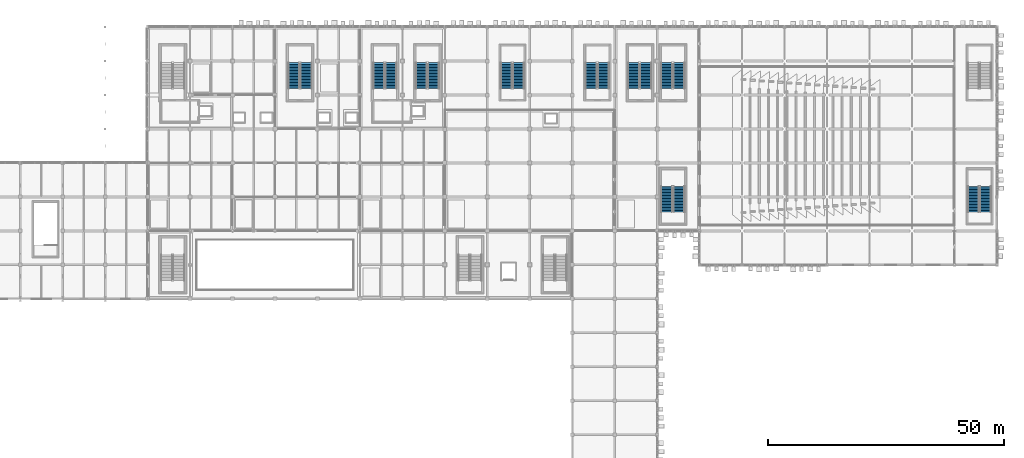
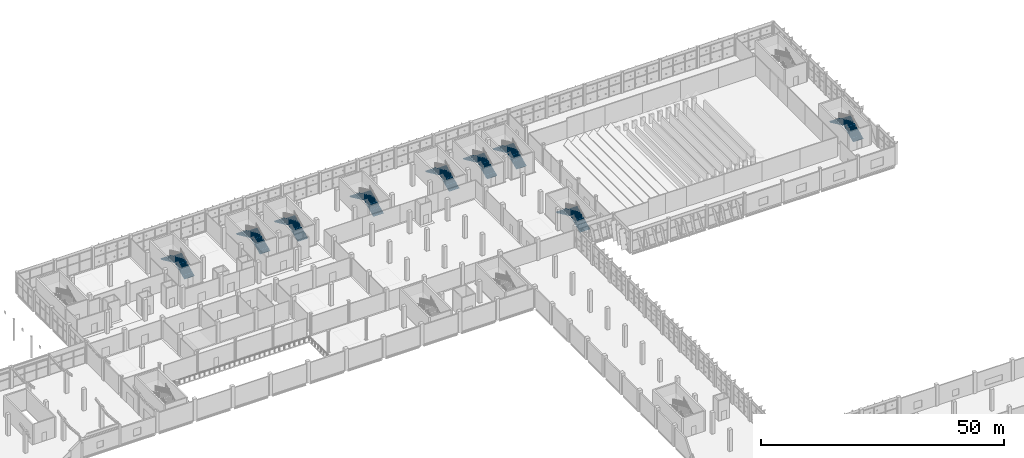
# One storey, part 145 of 189: 18 stair flights, 9 elements without a shape of their own.
"""IFC4 building model written with IfcOpenShell, lengths in metres."""

import ifcopenshell
import ifcopenshell.guid

model = None  # the IFC model being written
_history = None  # IfcOwnerHistory: only IFC2X3 demands one
_inside = {}  # id of a spatial element -> (the spatial element, [elements in it])
_under = {}  # id of a project, library or spatial element -> (it, [spatial elements below it])
_declared = {}  # id of a project -> (the project, [libraries it declares])
_typed = {}  # id of a type object -> (the type object, [elements of that type])
_made_of = {}  # id of a material, layer set ... -> (it, [elements and type objects made of it])


def new_model(schema):
    """Start an empty IFC model of exactly this schema.

    Asked for "IFC4X3", IfcOpenShell would pick the latest addendum, in which some entities
    have other attributes; the version numbers below select the first issue.
    IFC2X3 requires an IfcOwnerHistory on every rooted entity: one is made here for all.
    """
    global model, _history
    if schema == "IFC4X3":
        model = ifcopenshell.file(schema_version=(4, 3, 0, 0))
    else:
        model = ifcopenshell.file(schema=schema)
    _inside.clear()
    _under.clear()
    _declared.clear()
    _typed.clear()
    _made_of.clear()
    _history = None
    if model.schema == "IFC2X3":
        org = make("IfcOrganization", Name="unknown")
        user = make(
            "IfcPersonAndOrganization",
            ThePerson=make("IfcPerson", FamilyName="unknown"),
            TheOrganization=org,
        )
        app = make(
            "IfcApplication",
            ApplicationDeveloper=org,
            Version="unknown",
            ApplicationFullName="unknown",
            ApplicationIdentifier="unknown",
        )
        _history = make(
            "IfcOwnerHistory",
            OwningUser=user,
            OwningApplication=app,
            ChangeAction="ADDED",
            CreationDate=0,
        )
    return model


def make(cls, **values):
    """One entity of the class cls with the attributes given. An attribute that is None is left unset."""
    return model.create_entity(
        cls, **{name: value for name, value in values.items() if value is not None}
    )


def rooted(cls, **values):
    """An entity with a GlobalId (a new one), such as an element, a storey or a relation."""
    return make(cls, GlobalId=ifcopenshell.guid.new(), OwnerHistory=_history, **values)


def si_unit(unit_type, name, prefix=None):
    """IfcSIUnit, for example si_unit("LENGTHUNIT", "METRE", prefix="MILLI")."""
    return make("IfcSIUnit", UnitType=unit_type, Prefix=prefix, Name=name)


def assignment(units):
    """IfcUnitAssignment: the units of a project."""
    return None if units is None else make("IfcUnitAssignment", Units=units)


def point(xyz):
    """IfcCartesianPoint."""
    return None if xyz is None else make("IfcCartesianPoint", Coordinates=xyz)


def direction(xyz):
    """IfcDirection."""
    return None if xyz is None else make("IfcDirection", DirectionRatios=xyz)


def frame(location, z_axis=None, x_axis=None):
    """IfcAxis2Placement3D, a coordinate frame: its origin and axes. An axis left out is left unset."""
    return make(
        "IfcAxis2Placement3D",
        Location=point(location),
        Axis=direction(z_axis),
        RefDirection=direction(x_axis),
    )


def origin():
    """The frame at (0, 0, 0) with its axes left unset."""
    return frame((0.0, 0.0, 0.0))


def place(relative_to, where):
    """IfcLocalPlacement: puts the frame where relative to a parent placement (None: the world)."""
    return make(
        "IfcLocalPlacement", PlacementRelTo=relative_to, RelativePlacement=where
    )


def context(
    kind, dimensions, precision=None, world=None, true_north=None, identifier=None
):
    """IfcGeometricRepresentationContext, for example the 3D "Model" context."""
    return make(
        "IfcGeometricRepresentationContext",
        ContextIdentifier=identifier,
        ContextType=kind,
        CoordinateSpaceDimension=dimensions,
        Precision=precision,
        WorldCoordinateSystem=world,
        TrueNorth=true_north,
    )


def subcontext(parent, identifier, kind, view, scale=None):
    """IfcGeometricRepresentationSubContext, for example "Body" below "Model"."""
    return make(
        "IfcGeometricRepresentationSubContext",
        ContextIdentifier=identifier,
        ContextType=kind,
        ParentContext=parent,
        TargetScale=scale,
        TargetView=view,
    )


def project(units=None, contexts=None):
    """IfcProject with its units and contexts."""
    return rooted(
        "IfcProject",
        Name="project",
        RepresentationContexts=contexts,
        UnitsInContext=assignment(units),
    )


def spatial(cls, under=None, at=None, **own):
    """A site, building, storey or space (cls), placed at a placement, below another one or the project."""
    s = rooted(cls, ObjectPlacement=at, **own)
    if under is not None:
        _under.setdefault(under.id(), (under, []))[1].append(s)
    return s


def polyline(points):
    """IfcPolyline through the points."""
    return make("IfcPolyline", Points=[point(p) for p in points])


def outline(outer, holes=None, kind="AREA"):
    """IfcArbitraryClosedProfileDef: a profile drawn as a closed curve; with holes, ...WithVoids."""
    if holes is None:
        return make("IfcArbitraryClosedProfileDef", ProfileType=kind, OuterCurve=outer)
    return make(
        "IfcArbitraryProfileDefWithVoids",
        ProfileType=kind,
        OuterCurve=outer,
        InnerCurves=holes,
    )


def extrude(swept, where, along, depth):
    """IfcExtrudedAreaSolid: the profile swept, set in the frame where, extruded along a direction by depth."""
    return make(
        "IfcExtrudedAreaSolid",
        SweptArea=swept,
        Position=where,
        ExtrudedDirection=direction(along),
        Depth=depth,
    )


def shape(context_of_items, identifier, shape_type, items):
    """IfcShapeRepresentation: the items that make up one representation, for example the "Body"."""
    return make(
        "IfcShapeRepresentation",
        ContextOfItems=context_of_items,
        RepresentationIdentifier=identifier,
        RepresentationType=shape_type,
        Items=items,
    )


def material(Name=None, Category=None):
    """IfcMaterial."""
    return make("IfcMaterial", Name=Name, Category=Category)


def made_of(thing, what):
    """Note that an element or type object is made of a material, layer set ...; save() writes the relation."""
    if what is not None:
        _made_of.setdefault(what.id(), (what, []))[1].append(thing)
    return thing


def type_object(cls, material=None, **own):
    """A type object (cls), such as IfcWallType, which elements share."""
    return made_of(rooted(cls, **own), material)


def element(
    cls,
    number,
    at=None,
    inside=None,
    cuts=None,
    type_object=None,
    material=None,
    context=None,
    identifier="Body",
    shape_type=None,
    held_by="IfcProductDefinitionShape",
    body=None,
    shapes=None,
    **own,
):
    """One element of the class cls, such as IfcWall. Its Tag is "e" and its number.

    at: its placement. inside: the storey or other place that contains it. cuts: it is an
    opening in that element (IfcRelVoidsElement). A single representation is given by context,
    identifier, shape_type and body (its items); several are given by shapes. held_by: the class
    of the entity that holds the representations. save() writes the other relations.
    """
    e = rooted(cls, Tag="e%d" % number, ObjectPlacement=at, **own)
    if body is not None:
        shapes = [shape(context, identifier, shape_type, body)]
    if shapes is not None:
        e.Representation = make(held_by, Representations=shapes)
    if inside is not None:
        _inside.setdefault(inside.id(), (inside, []))[1].append(e)
    if cuts is not None:
        rooted(
            "IfcRelVoidsElement", RelatingBuildingElement=cuts, RelatedOpeningElement=e
        )
    if type_object is not None:
        _typed.setdefault(type_object.id(), (type_object, []))[1].append(e)
    return made_of(e, material)


def aggregate(whole, parts):
    """IfcRelAggregates: a whole, such as a stair, and the parts it consists of."""
    return rooted("IfcRelAggregates", RelatingObject=whole, RelatedObjects=parts)


def save(model, path):
    """Write the relations noted so far, then the file.

    IfcRelAggregates (storeys below a building ...), IfcRelContainedInSpatialStructure (elements
    in a storey), IfcRelDefinesByType, IfcRelAssociatesMaterial and IfcRelDeclares: one each for
    every whole, place, type object, material and project.
    """
    for whole, parts in _under.values():
        aggregate(whole, parts)
    for where, things in _inside.values():
        rooted(
            "IfcRelContainedInSpatialStructure",
            RelatedElements=things,
            RelatingStructure=where,
        )
    for kind, things in _typed.values():
        rooted("IfcRelDefinesByType", RelatedObjects=things, RelatingType=kind)
    for what, things in _made_of.values():
        rooted("IfcRelAssociatesMaterial", RelatedObjects=things, RelatingMaterial=what)
    for by, libraries in _declared.values():
        rooted("IfcRelDeclares", RelatingContext=by, RelatedDefinitions=libraries)
    model.write(path)


model = new_model("IFC4")

# Units and contexts
model_context = context("Model", 3, precision=1e-05, world=origin(), true_north=direction((0.0, 1.0)))
body_context = subcontext(model_context, "Body", "Model", "MODEL_VIEW")
ifc_project = project(units=[si_unit("LENGTHUNIT", "METRE"), si_unit("AREAUNIT", "SQUARE_METRE"), si_unit("VOLUMEUNIT", "CUBIC_METRE"), si_unit("PLANEANGLEUNIT", "RADIAN"), si_unit("MASSUNIT", "GRAM", prefix="KILO")], contexts=[model_context])

# Site, building, storey
site_placement = place(None, origin())
site = spatial("IfcSite", under=ifc_project, at=site_placement, CompositionType="ELEMENT")
building_placement = place(site_placement, origin())
building = spatial("IfcBuilding", under=site, at=building_placement, Name="Celestram Park Convention Centre", CompositionType="ELEMENT")
storey_placement = place(building_placement, frame((0.0, 0.0, 5.39990234375)))
storey = spatial("IfcBuildingStorey", under=building, at=storey_placement, Name="L01", CompositionType="ELEMENT", Elevation=5.39990234375)

# Stair, stair flights
ifc_material = material(Name="Precast Concrete C40/50", Category="concrete")
stair_type = type_object("IfcStairType", Name="ARC-STR-DOG54", PredefinedType="HALF_TURN_STAIR", material=ifc_material)
stair_1_placement = place(storey_placement, origin())
stair_1 = element("IfcStair", 1, at=stair_1_placement, inside=storey, type_object=stair_type, Name="L01 Core C2 stair ST-02", PredefinedType="HALF_TURN_STAIR")
stair_flight_type = type_object("IfcStairFlightType", Name="ARC-FLT-18R", PredefinedType="STRAIGHT", material=ifc_material)
stair_flight_1_placement = place(storey_placement, frame((87.60009765625, 152.60009765625, 0.0), z_axis=(0.0, 0.0, 1.0), x_axis=(0.0, 1.0, 0.0)))
stair_flight_1 = element("IfcStairFlight", 2, at=stair_flight_1_placement, type_object=stair_flight_type, Name="ST-02 flight 1", NumberOfRisers=18, NumberOfTreads=17, PredefinedType="STRAIGHT", RiserHeight=0.15, TreadLength=0.32, context=body_context, shape_type="SweptSolid", body=[
    extrude(outline(polyline([(0.0, 0.0), (0.0, 0.14990234375), (0.320068359375, 0.14990234375), (0.320068359375, 0.300048828125), (0.639892578125, 0.300048828125), (0.639892578125, 0.449951171875), (0.9599609375, 0.449951171875), (0.9599609375, 0.60009765625), (1.280029296875, 0.60009765625), (1.280029296875, 0.75), (1.60009765625, 0.75), (1.60009765625, 0.89990234375), (1.919921875, 0.89990234375), (1.919921875, 1.050048828125), (2.239990234375, 1.050048828125), (2.239990234375, 1.199951171875), (2.56005859375, 1.199951171875), (2.56005859375, 1.35009765625), (2.8798828125, 1.35009765625), (2.8798828125, 1.5), (3.199951171875, 1.5), (3.199951171875, 1.64990234375), (3.52001953125, 1.64990234375), (3.52001953125, 1.800048828125), (3.840087890625, 1.800048828125), (3.840087890625, 1.949951171875), (4.159912109375, 1.949951171875), (4.159912109375, 2.10009765625), (4.47998046875, 2.10009765625), (4.47998046875, 2.25), (4.800048828125, 2.25), (4.800048828125, 2.39990234375), (5.1201171875, 2.39990234375), (5.1201171875, 2.550048828125), (5.43994140625, 2.550048828125), (5.43994140625, 2.699951171875), (5.43994140625, 2.384521484375), (0.353271484375, 0.0), (0.0, 0.0)])), frame((0.0, 1.199951171875, 0.0), z_axis=(0.0, -1.0, 0.0), x_axis=(1.0, 0.0, 0.0)), (0.0, 0.0, 1.0), 2.39990234375),
])
stair_flight_2_placement = place(storey_placement, frame((85.0400390625, 158.0400390625, 2.7001953125), z_axis=(0.0, 0.0, 1.0), x_axis=(0.0, -1.0, 0.0)))
stair_flight_2 = element("IfcStairFlight", 3, at=stair_flight_2_placement, type_object=stair_flight_type, Name="ST-02 flight 2", NumberOfRisers=18, NumberOfTreads=17, PredefinedType="STRAIGHT", RiserHeight=0.15, TreadLength=0.32, context=body_context, shape_type="SweptSolid", body=[
    extrude(outline(polyline([(0.0, 0.0), (0.0, 0.14990234375), (0.320068359375, 0.14990234375), (0.320068359375, 0.300048828125), (0.639892578125, 0.300048828125), (0.639892578125, 0.449951171875), (0.9599609375, 0.449951171875), (0.9599609375, 0.60009765625), (1.280029296875, 0.60009765625), (1.280029296875, 0.75), (1.60009765625, 0.75), (1.60009765625, 0.89990234375), (1.919921875, 0.89990234375), (1.919921875, 1.050048828125), (2.239990234375, 1.050048828125), (2.239990234375, 1.199951171875), (2.56005859375, 1.199951171875), (2.56005859375, 1.35009765625), (2.8798828125, 1.35009765625), (2.8798828125, 1.5), (3.199951171875, 1.5), (3.199951171875, 1.64990234375), (3.52001953125, 1.64990234375), (3.52001953125, 1.800048828125), (3.840087890625, 1.800048828125), (3.840087890625, 1.949951171875), (4.159912109375, 1.949951171875), (4.159912109375, 2.10009765625), (4.47998046875, 2.10009765625), (4.47998046875, 2.25), (4.800048828125, 2.25), (4.800048828125, 2.39990234375), (5.1201171875, 2.39990234375), (5.1201171875, 2.550048828125), (5.43994140625, 2.550048828125), (5.43994140625, 2.699951171875), (5.43994140625, 2.384521484375), (0.353271484375, 0.0), (0.0, 0.0)])), frame((0.0, 1.199951171875, 0.0), z_axis=(0.0, -1.0, 0.0), x_axis=(1.0, 0.0, 0.0)), (0.0, 0.0, 1.0), 2.39990234375),
])
aggregate(stair_1, [stair_flight_1, stair_flight_2])

stair_2_placement = place(storey_placement, origin())
stair_2 = element("IfcStair", 4, at=stair_2_placement, inside=storey, type_object=stair_type, Name="L01 Core C5 stair ST-05", PredefinedType="HALF_TURN_STAIR")
stair_flight_3_placement = place(storey_placement, frame((132.60009765625, 152.60009765625, 0.0), z_axis=(0.0, 0.0, 1.0), x_axis=(0.0, 1.0, 0.0)))
stair_flight_3 = element("IfcStairFlight", 5, at=stair_flight_3_placement, type_object=stair_flight_type, Name="ST-05 flight 1", NumberOfRisers=18, NumberOfTreads=17, PredefinedType="STRAIGHT", RiserHeight=0.15, TreadLength=0.32, context=body_context, shape_type="SweptSolid", body=[
    extrude(outline(polyline([(0.0, 0.0), (0.0, 0.14990234375), (0.320068359375, 0.14990234375), (0.320068359375, 0.300048828125), (0.639892578125, 0.300048828125), (0.639892578125, 0.449951171875), (0.9599609375, 0.449951171875), (0.9599609375, 0.60009765625), (1.280029296875, 0.60009765625), (1.280029296875, 0.75), (1.60009765625, 0.75), (1.60009765625, 0.89990234375), (1.919921875, 0.89990234375), (1.919921875, 1.050048828125), (2.239990234375, 1.050048828125), (2.239990234375, 1.199951171875), (2.56005859375, 1.199951171875), (2.56005859375, 1.35009765625), (2.8798828125, 1.35009765625), (2.8798828125, 1.5), (3.199951171875, 1.5), (3.199951171875, 1.64990234375), (3.52001953125, 1.64990234375), (3.52001953125, 1.800048828125), (3.840087890625, 1.800048828125), (3.840087890625, 1.949951171875), (4.159912109375, 1.949951171875), (4.159912109375, 2.10009765625), (4.47998046875, 2.10009765625), (4.47998046875, 2.25), (4.800048828125, 2.25), (4.800048828125, 2.39990234375), (5.1201171875, 2.39990234375), (5.1201171875, 2.550048828125), (5.43994140625, 2.550048828125), (5.43994140625, 2.699951171875), (5.43994140625, 2.384521484375), (0.353271484375, 0.0), (0.0, 0.0)])), frame((0.0, 1.199951171875, 0.0), z_axis=(0.0, -1.0, 0.0), x_axis=(1.0, 0.0, 0.0)), (0.0, 0.0, 1.0), 2.39990234375),
])
stair_flight_4_placement = place(storey_placement, frame((130.0400390625, 158.0400390625, 2.7001953125), z_axis=(0.0, 0.0, 1.0), x_axis=(0.0, -1.0, 0.0)))
stair_flight_4 = element("IfcStairFlight", 6, at=stair_flight_4_placement, type_object=stair_flight_type, Name="ST-05 flight 2", NumberOfRisers=18, NumberOfTreads=17, PredefinedType="STRAIGHT", RiserHeight=0.15, TreadLength=0.32, context=body_context, shape_type="SweptSolid", body=[
    extrude(outline(polyline([(0.0, 0.0), (0.0, 0.14990234375), (0.320068359375, 0.14990234375), (0.320068359375, 0.300048828125), (0.639892578125, 0.300048828125), (0.639892578125, 0.449951171875), (0.9599609375, 0.449951171875), (0.9599609375, 0.60009765625), (1.280029296875, 0.60009765625), (1.280029296875, 0.75), (1.60009765625, 0.75), (1.60009765625, 0.89990234375), (1.919921875, 0.89990234375), (1.919921875, 1.050048828125), (2.239990234375, 1.050048828125), (2.239990234375, 1.199951171875), (2.56005859375, 1.199951171875), (2.56005859375, 1.35009765625), (2.8798828125, 1.35009765625), (2.8798828125, 1.5), (3.199951171875, 1.5), (3.199951171875, 1.64990234375), (3.52001953125, 1.64990234375), (3.52001953125, 1.800048828125), (3.840087890625, 1.800048828125), (3.840087890625, 1.949951171875), (4.159912109375, 1.949951171875), (4.159912109375, 2.10009765625), (4.47998046875, 2.10009765625), (4.47998046875, 2.25), (4.800048828125, 2.25), (4.800048828125, 2.39990234375), (5.1201171875, 2.39990234375), (5.1201171875, 2.550048828125), (5.43994140625, 2.550048828125), (5.43994140625, 2.699951171875), (5.43994140625, 2.384521484375), (0.353271484375, 0.0), (0.0, 0.0)])), frame((0.0, 1.199951171875, 0.0), z_axis=(0.0, -1.0, 0.0), x_axis=(1.0, 0.0, 0.0)), (0.0, 0.0, 1.0), 2.39990234375),
])
aggregate(stair_2, [stair_flight_3, stair_flight_4])

stair_3_placement = place(storey_placement, origin())
stair_3 = element("IfcStair", 7, at=stair_3_placement, inside=storey, type_object=stair_type, Name="L01 Core S08 stair ST-08", PredefinedType="HALF_TURN_STAIR")
stair_flight_5_placement = place(storey_placement, frame((213.60009765625, 126.39990234375, 0.0), z_axis=(0.0, 0.0, 1.0), x_axis=(0.0, 1.0, 0.0)))
stair_flight_5 = element("IfcStairFlight", 8, at=stair_flight_5_placement, type_object=stair_flight_type, Name="ST-08 flight 1", NumberOfRisers=18, NumberOfTreads=17, PredefinedType="STRAIGHT", RiserHeight=0.15, TreadLength=0.32, context=body_context, shape_type="SweptSolid", body=[
    extrude(outline(polyline([(0.0, 0.0), (0.0, 0.14990234375), (0.320068359375, 0.14990234375), (0.320068359375, 0.300048828125), (0.639892578125, 0.300048828125), (0.639892578125, 0.449951171875), (0.9599609375, 0.449951171875), (0.9599609375, 0.60009765625), (1.280029296875, 0.60009765625), (1.280029296875, 0.75), (1.60009765625, 0.75), (1.60009765625, 0.89990234375), (1.919921875, 0.89990234375), (1.919921875, 1.050048828125), (2.239990234375, 1.050048828125), (2.239990234375, 1.199951171875), (2.56005859375, 1.199951171875), (2.56005859375, 1.35009765625), (2.8798828125, 1.35009765625), (2.8798828125, 1.5), (3.199951171875, 1.5), (3.199951171875, 1.64990234375), (3.52001953125, 1.64990234375), (3.52001953125, 1.800048828125), (3.840087890625, 1.800048828125), (3.840087890625, 1.949951171875), (4.159912109375, 1.949951171875), (4.159912109375, 2.10009765625), (4.47998046875, 2.10009765625), (4.47998046875, 2.25), (4.800048828125, 2.25), (4.800048828125, 2.39990234375), (5.1201171875, 2.39990234375), (5.1201171875, 2.550048828125), (5.43994140625, 2.550048828125), (5.43994140625, 2.699951171875), (5.43994140625, 2.384521484375), (0.353271484375, 0.0), (0.0, 0.0)])), frame((0.0, 1.199951171875, 0.0), z_axis=(0.0, -1.0, 0.0), x_axis=(1.0, 0.0, 0.0)), (0.0, 0.0, 1.0), 2.39990234375),
])
stair_flight_6_placement = place(storey_placement, frame((211.0400390625, 131.840087890625, 2.7001953125), z_axis=(0.0, 0.0, 1.0), x_axis=(0.0, -1.0, 0.0)))
stair_flight_6 = element("IfcStairFlight", 9, at=stair_flight_6_placement, type_object=stair_flight_type, Name="ST-08 flight 2", NumberOfRisers=18, NumberOfTreads=17, PredefinedType="STRAIGHT", RiserHeight=0.15, TreadLength=0.32, context=body_context, shape_type="SweptSolid", body=[
    extrude(outline(polyline([(0.0, 0.0), (0.0, 0.14990234375), (0.320068359375, 0.14990234375), (0.320068359375, 0.300048828125), (0.639892578125, 0.300048828125), (0.639892578125, 0.449951171875), (0.9599609375, 0.449951171875), (0.9599609375, 0.60009765625), (1.280029296875, 0.60009765625), (1.280029296875, 0.75), (1.60009765625, 0.75), (1.60009765625, 0.89990234375), (1.919921875, 0.89990234375), (1.919921875, 1.050048828125), (2.239990234375, 1.050048828125), (2.239990234375, 1.199951171875), (2.56005859375, 1.199951171875), (2.56005859375, 1.35009765625), (2.8798828125, 1.35009765625), (2.8798828125, 1.5), (3.199951171875, 1.5), (3.199951171875, 1.64990234375), (3.52001953125, 1.64990234375), (3.52001953125, 1.800048828125), (3.840087890625, 1.800048828125), (3.840087890625, 1.949951171875), (4.159912109375, 1.949951171875), (4.159912109375, 2.10009765625), (4.47998046875, 2.10009765625), (4.47998046875, 2.25), (4.800048828125, 2.25), (4.800048828125, 2.39990234375), (5.1201171875, 2.39990234375), (5.1201171875, 2.550048828125), (5.43994140625, 2.550048828125), (5.43994140625, 2.699951171875), (5.43994140625, 2.384521484375), (0.353271484375, 0.0), (0.0, 0.0)])), frame((0.0, 1.199951171875, 0.0), z_axis=(0.0, -1.0, 0.0), x_axis=(1.0, 0.0, 0.0)), (0.0, 0.0, 1.0), 2.39990234375),
])
aggregate(stair_3, [stair_flight_5, stair_flight_6])

stair_4_placement = place(storey_placement, origin())
stair_4 = element("IfcStair", 10, at=stair_4_placement, inside=storey, type_object=stair_type, Name="L01 Core S09 stair ST-09", PredefinedType="HALF_TURN_STAIR")
stair_flight_7_placement = place(storey_placement, frame((148.60009765625, 152.60009765625, 0.0), z_axis=(0.0, 0.0, 1.0), x_axis=(0.0, 1.0, 0.0)))
stair_flight_7 = element("IfcStairFlight", 11, at=stair_flight_7_placement, type_object=stair_flight_type, Name="ST-09 flight 1", NumberOfRisers=18, NumberOfTreads=17, PredefinedType="STRAIGHT", RiserHeight=0.15, TreadLength=0.32, context=body_context, shape_type="SweptSolid", body=[
    extrude(outline(polyline([(0.0, 0.0), (0.0, 0.14990234375), (0.320068359375, 0.14990234375), (0.320068359375, 0.300048828125), (0.639892578125, 0.300048828125), (0.639892578125, 0.449951171875), (0.9599609375, 0.449951171875), (0.9599609375, 0.60009765625), (1.280029296875, 0.60009765625), (1.280029296875, 0.75), (1.60009765625, 0.75), (1.60009765625, 0.89990234375), (1.919921875, 0.89990234375), (1.919921875, 1.050048828125), (2.239990234375, 1.050048828125), (2.239990234375, 1.199951171875), (2.56005859375, 1.199951171875), (2.56005859375, 1.35009765625), (2.8798828125, 1.35009765625), (2.8798828125, 1.5), (3.199951171875, 1.5), (3.199951171875, 1.64990234375), (3.52001953125, 1.64990234375), (3.52001953125, 1.800048828125), (3.840087890625, 1.800048828125), (3.840087890625, 1.949951171875), (4.159912109375, 1.949951171875), (4.159912109375, 2.10009765625), (4.47998046875, 2.10009765625), (4.47998046875, 2.25), (4.800048828125, 2.25), (4.800048828125, 2.39990234375), (5.1201171875, 2.39990234375), (5.1201171875, 2.550048828125), (5.43994140625, 2.550048828125), (5.43994140625, 2.699951171875), (5.43994140625, 2.384521484375), (0.353271484375, 0.0), (0.0, 0.0)])), frame((0.0, 1.199951171875, 0.0), z_axis=(0.0, -1.0, 0.0), x_axis=(1.0, 0.0, 0.0)), (0.0, 0.0, 1.0), 2.39990234375),
])
stair_flight_8_placement = place(storey_placement, frame((146.0400390625, 158.0400390625, 2.7001953125), z_axis=(0.0, 0.0, 1.0), x_axis=(0.0, -1.0, 0.0)))
stair_flight_8 = element("IfcStairFlight", 12, at=stair_flight_8_placement, type_object=stair_flight_type, Name="ST-09 flight 2", NumberOfRisers=18, NumberOfTreads=17, PredefinedType="STRAIGHT", RiserHeight=0.15, TreadLength=0.32, context=body_context, shape_type="SweptSolid", body=[
    extrude(outline(polyline([(0.0, 0.0), (0.0, 0.14990234375), (0.320068359375, 0.14990234375), (0.320068359375, 0.300048828125), (0.639892578125, 0.300048828125), (0.639892578125, 0.449951171875), (0.9599609375, 0.449951171875), (0.9599609375, 0.60009765625), (1.280029296875, 0.60009765625), (1.280029296875, 0.75), (1.60009765625, 0.75), (1.60009765625, 0.89990234375), (1.919921875, 0.89990234375), (1.919921875, 1.050048828125), (2.239990234375, 1.050048828125), (2.239990234375, 1.199951171875), (2.56005859375, 1.199951171875), (2.56005859375, 1.35009765625), (2.8798828125, 1.35009765625), (2.8798828125, 1.5), (3.199951171875, 1.5), (3.199951171875, 1.64990234375), (3.52001953125, 1.64990234375), (3.52001953125, 1.800048828125), (3.840087890625, 1.800048828125), (3.840087890625, 1.949951171875), (4.159912109375, 1.949951171875), (4.159912109375, 2.10009765625), (4.47998046875, 2.10009765625), (4.47998046875, 2.25), (4.800048828125, 2.25), (4.800048828125, 2.39990234375), (5.1201171875, 2.39990234375), (5.1201171875, 2.550048828125), (5.43994140625, 2.550048828125), (5.43994140625, 2.699951171875), (5.43994140625, 2.384521484375), (0.353271484375, 0.0), (0.0, 0.0)])), frame((0.0, 1.199951171875, 0.0), z_axis=(0.0, -1.0, 0.0), x_axis=(1.0, 0.0, 0.0)), (0.0, 0.0, 1.0), 2.39990234375),
])
aggregate(stair_4, [stair_flight_7, stair_flight_8])

stair_5_placement = place(storey_placement, origin())
stair_5 = element("IfcStair", 13, at=stair_5_placement, inside=storey, type_object=stair_type, Name="L01 Core S10 stair ST-10", PredefinedType="HALF_TURN_STAIR")
stair_flight_9_placement = place(storey_placement, frame((148.60009765625, 126.39990234375, 0.0), z_axis=(0.0, 0.0, 1.0), x_axis=(0.0, 1.0, 0.0)))
stair_flight_9 = element("IfcStairFlight", 14, at=stair_flight_9_placement, type_object=stair_flight_type, Name="ST-10 flight 1", NumberOfRisers=18, NumberOfTreads=17, PredefinedType="STRAIGHT", RiserHeight=0.15, TreadLength=0.32, context=body_context, shape_type="SweptSolid", body=[
    extrude(outline(polyline([(0.0, 0.0), (0.0, 0.14990234375), (0.320068359375, 0.14990234375), (0.320068359375, 0.300048828125), (0.639892578125, 0.300048828125), (0.639892578125, 0.449951171875), (0.9599609375, 0.449951171875), (0.9599609375, 0.60009765625), (1.280029296875, 0.60009765625), (1.280029296875, 0.75), (1.60009765625, 0.75), (1.60009765625, 0.89990234375), (1.919921875, 0.89990234375), (1.919921875, 1.050048828125), (2.239990234375, 1.050048828125), (2.239990234375, 1.199951171875), (2.56005859375, 1.199951171875), (2.56005859375, 1.35009765625), (2.8798828125, 1.35009765625), (2.8798828125, 1.5), (3.199951171875, 1.5), (3.199951171875, 1.64990234375), (3.52001953125, 1.64990234375), (3.52001953125, 1.800048828125), (3.840087890625, 1.800048828125), (3.840087890625, 1.949951171875), (4.159912109375, 1.949951171875), (4.159912109375, 2.10009765625), (4.47998046875, 2.10009765625), (4.47998046875, 2.25), (4.800048828125, 2.25), (4.800048828125, 2.39990234375), (5.1201171875, 2.39990234375), (5.1201171875, 2.550048828125), (5.43994140625, 2.550048828125), (5.43994140625, 2.699951171875), (5.43994140625, 2.384521484375), (0.353271484375, 0.0), (0.0, 0.0)])), frame((0.0, 1.199951171875, 0.0), z_axis=(0.0, -1.0, 0.0), x_axis=(1.0, 0.0, 0.0)), (0.0, 0.0, 1.0), 2.39990234375),
])
stair_flight_10_placement = place(storey_placement, frame((146.0400390625, 131.840087890625, 2.7001953125), z_axis=(0.0, 0.0, 1.0), x_axis=(0.0, -1.0, 0.0)))
stair_flight_10 = element("IfcStairFlight", 15, at=stair_flight_10_placement, type_object=stair_flight_type, Name="ST-10 flight 2", NumberOfRisers=18, NumberOfTreads=17, PredefinedType="STRAIGHT", RiserHeight=0.15, TreadLength=0.32, context=body_context, shape_type="SweptSolid", body=[
    extrude(outline(polyline([(0.0, 0.0), (0.0, 0.14990234375), (0.320068359375, 0.14990234375), (0.320068359375, 0.300048828125), (0.639892578125, 0.300048828125), (0.639892578125, 0.449951171875), (0.9599609375, 0.449951171875), (0.9599609375, 0.60009765625), (1.280029296875, 0.60009765625), (1.280029296875, 0.75), (1.60009765625, 0.75), (1.60009765625, 0.89990234375), (1.919921875, 0.89990234375), (1.919921875, 1.050048828125), (2.239990234375, 1.050048828125), (2.239990234375, 1.199951171875), (2.56005859375, 1.199951171875), (2.56005859375, 1.35009765625), (2.8798828125, 1.35009765625), (2.8798828125, 1.5), (3.199951171875, 1.5), (3.199951171875, 1.64990234375), (3.52001953125, 1.64990234375), (3.52001953125, 1.800048828125), (3.840087890625, 1.800048828125), (3.840087890625, 1.949951171875), (4.159912109375, 1.949951171875), (4.159912109375, 2.10009765625), (4.47998046875, 2.10009765625), (4.47998046875, 2.25), (4.800048828125, 2.25), (4.800048828125, 2.39990234375), (5.1201171875, 2.39990234375), (5.1201171875, 2.550048828125), (5.43994140625, 2.550048828125), (5.43994140625, 2.699951171875), (5.43994140625, 2.384521484375), (0.353271484375, 0.0), (0.0, 0.0)])), frame((0.0, 1.199951171875, 0.0), z_axis=(0.0, -1.0, 0.0), x_axis=(1.0, 0.0, 0.0)), (0.0, 0.0, 1.0), 2.39990234375),
])
aggregate(stair_5, [stair_flight_9, stair_flight_10])

stair_6_placement = place(storey_placement, origin())
stair_6 = element("IfcStair", 16, at=stair_6_placement, inside=storey, type_object=stair_type, Name="L01 Core S14 stair ST-14", PredefinedType="HALF_TURN_STAIR")
stair_flight_11_placement = place(storey_placement, frame((69.60009765625, 152.60009765625, 0.0), z_axis=(0.0, 0.0, 1.0), x_axis=(0.0, 1.0, 0.0)))
stair_flight_11 = element("IfcStairFlight", 17, at=stair_flight_11_placement, type_object=stair_flight_type, Name="ST-14 flight 1", NumberOfRisers=18, NumberOfTreads=17, PredefinedType="STRAIGHT", RiserHeight=0.15, TreadLength=0.32, context=body_context, shape_type="SweptSolid", body=[
    extrude(outline(polyline([(0.0, 0.0), (0.0, 0.14990234375), (0.320068359375, 0.14990234375), (0.320068359375, 0.300048828125), (0.639892578125, 0.300048828125), (0.639892578125, 0.449951171875), (0.9599609375, 0.449951171875), (0.9599609375, 0.60009765625), (1.280029296875, 0.60009765625), (1.280029296875, 0.75), (1.60009765625, 0.75), (1.60009765625, 0.89990234375), (1.919921875, 0.89990234375), (1.919921875, 1.050048828125), (2.239990234375, 1.050048828125), (2.239990234375, 1.199951171875), (2.56005859375, 1.199951171875), (2.56005859375, 1.35009765625), (2.8798828125, 1.35009765625), (2.8798828125, 1.5), (3.199951171875, 1.5), (3.199951171875, 1.64990234375), (3.52001953125, 1.64990234375), (3.52001953125, 1.800048828125), (3.840087890625, 1.800048828125), (3.840087890625, 1.949951171875), (4.159912109375, 1.949951171875), (4.159912109375, 2.10009765625), (4.47998046875, 2.10009765625), (4.47998046875, 2.25), (4.800048828125, 2.25), (4.800048828125, 2.39990234375), (5.1201171875, 2.39990234375), (5.1201171875, 2.550048828125), (5.43994140625, 2.550048828125), (5.43994140625, 2.699951171875), (5.43994140625, 2.384521484375), (0.353271484375, 0.0), (0.0, 0.0)])), frame((0.0, 1.199951171875, 0.0), z_axis=(0.0, -1.0, 0.0), x_axis=(1.0, 0.0, 0.0)), (0.0, 0.0, 1.0), 2.39990234375),
])
stair_flight_12_placement = place(storey_placement, frame((67.0400390625, 158.0400390625, 2.7001953125), z_axis=(0.0, 0.0, 1.0), x_axis=(0.0, -1.0, 0.0)))
stair_flight_12 = element("IfcStairFlight", 18, at=stair_flight_12_placement, type_object=stair_flight_type, Name="ST-14 flight 2", NumberOfRisers=18, NumberOfTreads=17, PredefinedType="STRAIGHT", RiserHeight=0.15, TreadLength=0.32, context=body_context, shape_type="SweptSolid", body=[
    extrude(outline(polyline([(0.0, 0.0), (0.0, 0.14990234375), (0.320068359375, 0.14990234375), (0.320068359375, 0.300048828125), (0.639892578125, 0.300048828125), (0.639892578125, 0.449951171875), (0.9599609375, 0.449951171875), (0.9599609375, 0.60009765625), (1.280029296875, 0.60009765625), (1.280029296875, 0.75), (1.60009765625, 0.75), (1.60009765625, 0.89990234375), (1.919921875, 0.89990234375), (1.919921875, 1.050048828125), (2.239990234375, 1.050048828125), (2.239990234375, 1.199951171875), (2.56005859375, 1.199951171875), (2.56005859375, 1.35009765625), (2.8798828125, 1.35009765625), (2.8798828125, 1.5), (3.199951171875, 1.5), (3.199951171875, 1.64990234375), (3.52001953125, 1.64990234375), (3.52001953125, 1.800048828125), (3.840087890625, 1.800048828125), (3.840087890625, 1.949951171875), (4.159912109375, 1.949951171875), (4.159912109375, 2.10009765625), (4.47998046875, 2.10009765625), (4.47998046875, 2.25), (4.800048828125, 2.25), (4.800048828125, 2.39990234375), (5.1201171875, 2.39990234375), (5.1201171875, 2.550048828125), (5.43994140625, 2.550048828125), (5.43994140625, 2.699951171875), (5.43994140625, 2.384521484375), (0.353271484375, 0.0), (0.0, 0.0)])), frame((0.0, 1.199951171875, 0.0), z_axis=(0.0, -1.0, 0.0), x_axis=(1.0, 0.0, 0.0)), (0.0, 0.0, 1.0), 2.39990234375),
])
aggregate(stair_6, [stair_flight_11, stair_flight_12])

stair_7_placement = place(storey_placement, origin())
stair_7 = element("IfcStair", 19, at=stair_7_placement, inside=storey, type_object=stair_type, Name="L01 Core S16 stair ST-16", PredefinedType="HALF_TURN_STAIR")
stair_flight_13_placement = place(storey_placement, frame((114.60009765625, 152.60009765625, 0.0), z_axis=(0.0, 0.0, 1.0), x_axis=(0.0, 1.0, 0.0)))
stair_flight_13 = element("IfcStairFlight", 20, at=stair_flight_13_placement, type_object=stair_flight_type, Name="ST-16 flight 1", NumberOfRisers=18, NumberOfTreads=17, PredefinedType="STRAIGHT", RiserHeight=0.15, TreadLength=0.32, context=body_context, shape_type="SweptSolid", body=[
    extrude(outline(polyline([(0.0, 0.0), (0.0, 0.14990234375), (0.320068359375, 0.14990234375), (0.320068359375, 0.300048828125), (0.639892578125, 0.300048828125), (0.639892578125, 0.449951171875), (0.9599609375, 0.449951171875), (0.9599609375, 0.60009765625), (1.280029296875, 0.60009765625), (1.280029296875, 0.75), (1.60009765625, 0.75), (1.60009765625, 0.89990234375), (1.919921875, 0.89990234375), (1.919921875, 1.050048828125), (2.239990234375, 1.050048828125), (2.239990234375, 1.199951171875), (2.56005859375, 1.199951171875), (2.56005859375, 1.35009765625), (2.8798828125, 1.35009765625), (2.8798828125, 1.5), (3.199951171875, 1.5), (3.199951171875, 1.64990234375), (3.52001953125, 1.64990234375), (3.52001953125, 1.800048828125), (3.840087890625, 1.800048828125), (3.840087890625, 1.949951171875), (4.159912109375, 1.949951171875), (4.159912109375, 2.10009765625), (4.47998046875, 2.10009765625), (4.47998046875, 2.25), (4.800048828125, 2.25), (4.800048828125, 2.39990234375), (5.1201171875, 2.39990234375), (5.1201171875, 2.550048828125), (5.43994140625, 2.550048828125), (5.43994140625, 2.699951171875), (5.43994140625, 2.384521484375), (0.353271484375, 0.0), (0.0, 0.0)])), frame((0.0, 1.199951171875, 0.0), z_axis=(0.0, -1.0, 0.0), x_axis=(1.0, 0.0, 0.0)), (0.0, 0.0, 1.0), 2.39990234375),
])
stair_flight_14_placement = place(storey_placement, frame((112.0400390625, 158.0400390625, 2.7001953125), z_axis=(0.0, 0.0, 1.0), x_axis=(0.0, -1.0, 0.0)))
stair_flight_14 = element("IfcStairFlight", 21, at=stair_flight_14_placement, type_object=stair_flight_type, Name="ST-16 flight 2", NumberOfRisers=18, NumberOfTreads=17, PredefinedType="STRAIGHT", RiserHeight=0.15, TreadLength=0.32, context=body_context, shape_type="SweptSolid", body=[
    extrude(outline(polyline([(0.0, 0.0), (0.0, 0.14990234375), (0.320068359375, 0.14990234375), (0.320068359375, 0.300048828125), (0.639892578125, 0.300048828125), (0.639892578125, 0.449951171875), (0.9599609375, 0.449951171875), (0.9599609375, 0.60009765625), (1.280029296875, 0.60009765625), (1.280029296875, 0.75), (1.60009765625, 0.75), (1.60009765625, 0.89990234375), (1.919921875, 0.89990234375), (1.919921875, 1.050048828125), (2.239990234375, 1.050048828125), (2.239990234375, 1.199951171875), (2.56005859375, 1.199951171875), (2.56005859375, 1.35009765625), (2.8798828125, 1.35009765625), (2.8798828125, 1.5), (3.199951171875, 1.5), (3.199951171875, 1.64990234375), (3.52001953125, 1.64990234375), (3.52001953125, 1.800048828125), (3.840087890625, 1.800048828125), (3.840087890625, 1.949951171875), (4.159912109375, 1.949951171875), (4.159912109375, 2.10009765625), (4.47998046875, 2.10009765625), (4.47998046875, 2.25), (4.800048828125, 2.25), (4.800048828125, 2.39990234375), (5.1201171875, 2.39990234375), (5.1201171875, 2.550048828125), (5.43994140625, 2.550048828125), (5.43994140625, 2.699951171875), (5.43994140625, 2.384521484375), (0.353271484375, 0.0), (0.0, 0.0)])), frame((0.0, 1.199951171875, 0.0), z_axis=(0.0, -1.0, 0.0), x_axis=(1.0, 0.0, 0.0)), (0.0, 0.0, 1.0), 2.39990234375),
])
aggregate(stair_7, [stair_flight_13, stair_flight_14])

stair_8_placement = place(storey_placement, origin())
stair_8 = element("IfcStair", 22, at=stair_8_placement, inside=storey, type_object=stair_type, Name="L01 Core S19 stair ST-19", PredefinedType="HALF_TURN_STAIR")
stair_flight_15_placement = place(storey_placement, frame((96.60009765625, 152.60009765625, 0.0), z_axis=(0.0, 0.0, 1.0), x_axis=(0.0, 1.0, 0.0)))
stair_flight_15 = element("IfcStairFlight", 23, at=stair_flight_15_placement, type_object=stair_flight_type, Name="ST-19 flight 1", NumberOfRisers=18, NumberOfTreads=17, PredefinedType="STRAIGHT", RiserHeight=0.15, TreadLength=0.32, context=body_context, shape_type="SweptSolid", body=[
    extrude(outline(polyline([(0.0, 0.0), (0.0, 0.14990234375), (0.320068359375, 0.14990234375), (0.320068359375, 0.300048828125), (0.639892578125, 0.300048828125), (0.639892578125, 0.449951171875), (0.9599609375, 0.449951171875), (0.9599609375, 0.60009765625), (1.280029296875, 0.60009765625), (1.280029296875, 0.75), (1.60009765625, 0.75), (1.60009765625, 0.89990234375), (1.919921875, 0.89990234375), (1.919921875, 1.050048828125), (2.239990234375, 1.050048828125), (2.239990234375, 1.199951171875), (2.56005859375, 1.199951171875), (2.56005859375, 1.35009765625), (2.8798828125, 1.35009765625), (2.8798828125, 1.5), (3.199951171875, 1.5), (3.199951171875, 1.64990234375), (3.52001953125, 1.64990234375), (3.52001953125, 1.800048828125), (3.840087890625, 1.800048828125), (3.840087890625, 1.949951171875), (4.159912109375, 1.949951171875), (4.159912109375, 2.10009765625), (4.47998046875, 2.10009765625), (4.47998046875, 2.25), (4.800048828125, 2.25), (4.800048828125, 2.39990234375), (5.1201171875, 2.39990234375), (5.1201171875, 2.550048828125), (5.43994140625, 2.550048828125), (5.43994140625, 2.699951171875), (5.43994140625, 2.384521484375), (0.353271484375, 0.0), (0.0, 0.0)])), frame((0.0, 1.199951171875, 0.0), z_axis=(0.0, -1.0, 0.0), x_axis=(1.0, 0.0, 0.0)), (0.0, 0.0, 1.0), 2.39990234375),
])
stair_flight_16_placement = place(storey_placement, frame((94.0400390625, 158.0400390625, 2.7001953125), z_axis=(0.0, 0.0, 1.0), x_axis=(0.0, -1.0, 0.0)))
stair_flight_16 = element("IfcStairFlight", 24, at=stair_flight_16_placement, type_object=stair_flight_type, Name="ST-19 flight 2", NumberOfRisers=18, NumberOfTreads=17, PredefinedType="STRAIGHT", RiserHeight=0.15, TreadLength=0.32, context=body_context, shape_type="SweptSolid", body=[
    extrude(outline(polyline([(0.0, 0.0), (0.0, 0.14990234375), (0.320068359375, 0.14990234375), (0.320068359375, 0.300048828125), (0.639892578125, 0.300048828125), (0.639892578125, 0.449951171875), (0.9599609375, 0.449951171875), (0.9599609375, 0.60009765625), (1.280029296875, 0.60009765625), (1.280029296875, 0.75), (1.60009765625, 0.75), (1.60009765625, 0.89990234375), (1.919921875, 0.89990234375), (1.919921875, 1.050048828125), (2.239990234375, 1.050048828125), (2.239990234375, 1.199951171875), (2.56005859375, 1.199951171875), (2.56005859375, 1.35009765625), (2.8798828125, 1.35009765625), (2.8798828125, 1.5), (3.199951171875, 1.5), (3.199951171875, 1.64990234375), (3.52001953125, 1.64990234375), (3.52001953125, 1.800048828125), (3.840087890625, 1.800048828125), (3.840087890625, 1.949951171875), (4.159912109375, 1.949951171875), (4.159912109375, 2.10009765625), (4.47998046875, 2.10009765625), (4.47998046875, 2.25), (4.800048828125, 2.25), (4.800048828125, 2.39990234375), (5.1201171875, 2.39990234375), (5.1201171875, 2.550048828125), (5.43994140625, 2.550048828125), (5.43994140625, 2.699951171875), (5.43994140625, 2.384521484375), (0.353271484375, 0.0), (0.0, 0.0)])), frame((0.0, 1.199951171875, 0.0), z_axis=(0.0, -1.0, 0.0), x_axis=(1.0, 0.0, 0.0)), (0.0, 0.0, 1.0), 2.39990234375),
])
aggregate(stair_8, [stair_flight_15, stair_flight_16])

stair_9_placement = place(storey_placement, origin())
stair_9 = element("IfcStair", 25, at=stair_9_placement, inside=storey, type_object=stair_type, Name="L01 Core S22 stair ST-22", PredefinedType="HALF_TURN_STAIR")
stair_flight_17_placement = place(storey_placement, frame((141.60009765625, 152.60009765625, 0.0), z_axis=(0.0, 0.0, 1.0), x_axis=(0.0, 1.0, 0.0)))
stair_flight_17 = element("IfcStairFlight", 26, at=stair_flight_17_placement, type_object=stair_flight_type, Name="ST-22 flight 1", NumberOfRisers=18, NumberOfTreads=17, PredefinedType="STRAIGHT", RiserHeight=0.15, TreadLength=0.32, context=body_context, shape_type="SweptSolid", body=[
    extrude(outline(polyline([(0.0, 0.0), (0.0, 0.14990234375), (0.320068359375, 0.14990234375), (0.320068359375, 0.300048828125), (0.639892578125, 0.300048828125), (0.639892578125, 0.449951171875), (0.9599609375, 0.449951171875), (0.9599609375, 0.60009765625), (1.280029296875, 0.60009765625), (1.280029296875, 0.75), (1.60009765625, 0.75), (1.60009765625, 0.89990234375), (1.919921875, 0.89990234375), (1.919921875, 1.050048828125), (2.239990234375, 1.050048828125), (2.239990234375, 1.199951171875), (2.56005859375, 1.199951171875), (2.56005859375, 1.35009765625), (2.8798828125, 1.35009765625), (2.8798828125, 1.5), (3.199951171875, 1.5), (3.199951171875, 1.64990234375), (3.52001953125, 1.64990234375), (3.52001953125, 1.800048828125), (3.840087890625, 1.800048828125), (3.840087890625, 1.949951171875), (4.159912109375, 1.949951171875), (4.159912109375, 2.10009765625), (4.47998046875, 2.10009765625), (4.47998046875, 2.25), (4.800048828125, 2.25), (4.800048828125, 2.39990234375), (5.1201171875, 2.39990234375), (5.1201171875, 2.550048828125), (5.43994140625, 2.550048828125), (5.43994140625, 2.699951171875), (5.43994140625, 2.384521484375), (0.353271484375, 0.0), (0.0, 0.0)])), frame((0.0, 1.199951171875, 0.0), z_axis=(0.0, -1.0, 0.0), x_axis=(1.0, 0.0, 0.0)), (0.0, 0.0, 1.0), 2.39990234375),
])
stair_flight_18_placement = place(storey_placement, frame((139.0400390625, 158.0400390625, 2.7001953125), z_axis=(0.0, 0.0, 1.0), x_axis=(0.0, -1.0, 0.0)))
stair_flight_18 = element("IfcStairFlight", 27, at=stair_flight_18_placement, type_object=stair_flight_type, Name="ST-22 flight 2", NumberOfRisers=18, NumberOfTreads=17, PredefinedType="STRAIGHT", RiserHeight=0.15, TreadLength=0.32, context=body_context, shape_type="SweptSolid", body=[
    extrude(outline(polyline([(0.0, 0.0), (0.0, 0.14990234375), (0.320068359375, 0.14990234375), (0.320068359375, 0.300048828125), (0.639892578125, 0.300048828125), (0.639892578125, 0.449951171875), (0.9599609375, 0.449951171875), (0.9599609375, 0.60009765625), (1.280029296875, 0.60009765625), (1.280029296875, 0.75), (1.60009765625, 0.75), (1.60009765625, 0.89990234375), (1.919921875, 0.89990234375), (1.919921875, 1.050048828125), (2.239990234375, 1.050048828125), (2.239990234375, 1.199951171875), (2.56005859375, 1.199951171875), (2.56005859375, 1.35009765625), (2.8798828125, 1.35009765625), (2.8798828125, 1.5), (3.199951171875, 1.5), (3.199951171875, 1.64990234375), (3.52001953125, 1.64990234375), (3.52001953125, 1.800048828125), (3.840087890625, 1.800048828125), (3.840087890625, 1.949951171875), (4.159912109375, 1.949951171875), (4.159912109375, 2.10009765625), (4.47998046875, 2.10009765625), (4.47998046875, 2.25), (4.800048828125, 2.25), (4.800048828125, 2.39990234375), (5.1201171875, 2.39990234375), (5.1201171875, 2.550048828125), (5.43994140625, 2.550048828125), (5.43994140625, 2.699951171875), (5.43994140625, 2.384521484375), (0.353271484375, 0.0), (0.0, 0.0)])), frame((0.0, 1.199951171875, 0.0), z_axis=(0.0, -1.0, 0.0), x_axis=(1.0, 0.0, 0.0)), (0.0, 0.0, 1.0), 2.39990234375),
])
aggregate(stair_9, [stair_flight_17, stair_flight_18])

save(model, "model.ifc")
